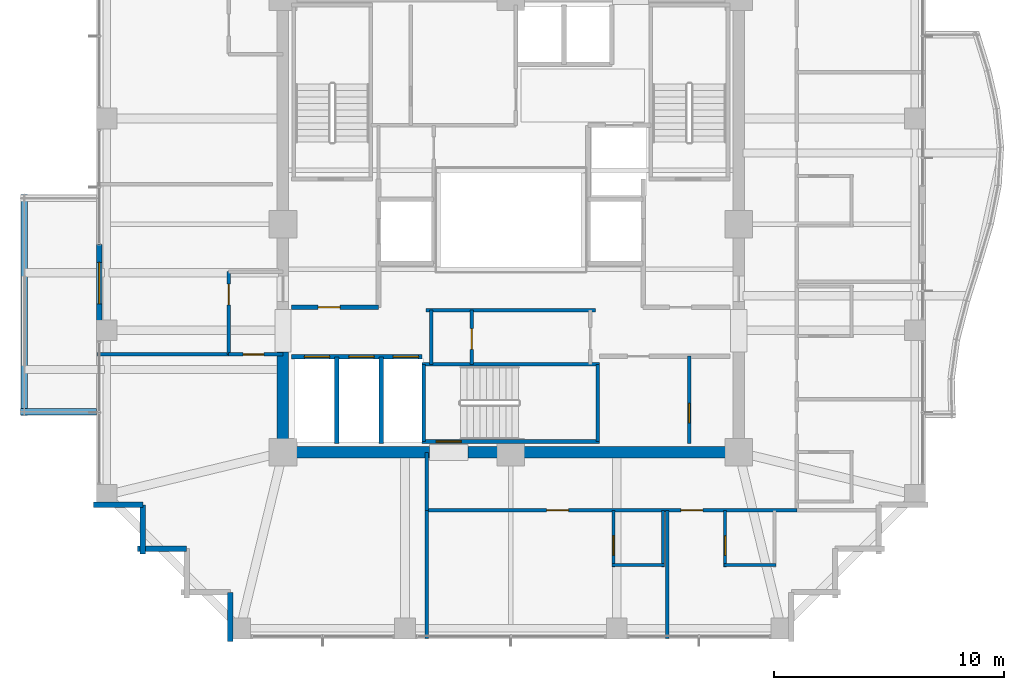
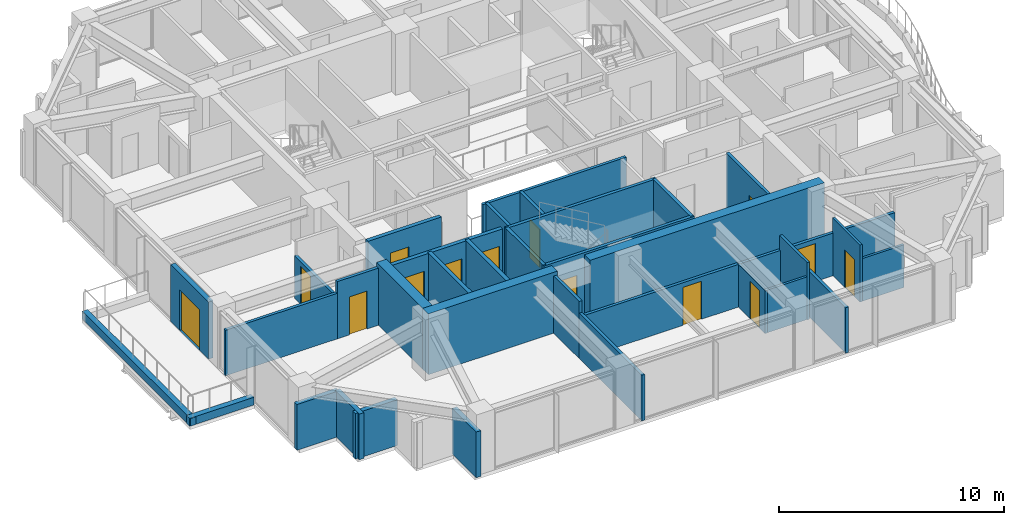
# One storey, part 27 of 32: 34 walls, 14 doors, 14 openings.
"""IFC4 building model written with IfcOpenShell, lengths in metres."""

from ifc_helpers import new_model, si_unit, direction, frame, frame_2d, origin, place, context, subcontext, project, spatial, rectangle, extrude, material, layer, layer_set, type_object, element, fill, save


model = new_model("IFC4")

# Units and contexts
model_context = context("Model", 3, precision=1e-05, world=origin(), true_north=direction((0.0, 1.0)))
body_context = subcontext(model_context, "Body", "Model", "MODEL_VIEW")
ifc_project = project(units=[si_unit("LENGTHUNIT", "METRE"), si_unit("AREAUNIT", "SQUARE_METRE"), si_unit("VOLUMEUNIT", "CUBIC_METRE"), si_unit("PLANEANGLEUNIT", "RADIAN"), si_unit("MASSUNIT", "GRAM", prefix="KILO")], contexts=[model_context])

# Site, building, storey
site_placement = place(None, origin())
site = spatial("IfcSite", under=ifc_project, at=site_placement, CompositionType="ELEMENT")
building_placement = place(site_placement, origin())
building = spatial("IfcBuilding", under=site, at=building_placement, Name="Kolvaren Belvedere", CompositionType="ELEMENT")
storey_placement = place(building_placement, frame((0.0, 0.0, 141.5)))
storey = spatial("IfcBuildingStorey", under=building, at=storey_placement, Name="L41", CompositionType="ELEMENT", Elevation=141.5)

# Walls
ifc_material_1 = material(Name="Concrete C50/60", Category="concrete")
ifc_layer_1 = layer(ifc_material_1, 0.5)
ifc_layer_set_1 = layer_set([ifc_layer_1], Name="Concrete C50/60")
wall_type_1 = type_object("IfcWallType", Name="CW-CORE-500", PredefinedType="SHEAR", material=ifc_layer_set_1)
wall_1_placement = place(storey_placement, frame((10.14990234375, -9.89990234375, 0.0), z_axis=(0.0, 0.0, 1.0), x_axis=(-1.0, 0.0, 0.0)))
element("IfcWall", 1, at=wall_1_placement, inside=storey, type_object=wall_type_1, Name="L41 South Core Shear Wall 1", PredefinedType="SHEAR", context=body_context, shape_type="SweptSolid", body=[
    extrude(rectangle(XDim=12.010009765625, YDim=0.5, at=frame_2d((6.0048828125, 0.0))), origin(), (0.0, 0.0, 1.0), 3.300048828125),
])
wall_2_placement = place(storey_placement, frame((-3.5400390625, -9.89990234375, 0.0), z_axis=(0.0, 0.0, 1.0), x_axis=(-1.0, 0.0, 0.0)))
element("IfcWall", 2, at=wall_2_placement, inside=storey, type_object=wall_type_1, Name="L41 South Core Shear Wall 2", PredefinedType="SHEAR", context=body_context, shape_type="SweptSolid", body=[
    extrude(rectangle(XDim=6.60986328125, YDim=0.5, at=frame_2d((3.304931640625, 0.0))), origin(), (0.0, 0.0, 1.0), 3.300048828125),
])
wall_3_placement = place(storey_placement, frame((-9.89990234375, -9.64990234375, 0.0), z_axis=(0.0, 0.0, 1.0), x_axis=(0.0, 1.0, 0.0)))
element("IfcWall", 3, at=wall_3_placement, inside=storey, type_object=wall_type_1, Name="L41 West Core Shear Wall 1", PredefinedType="SHEAR", context=body_context, shape_type="SweptSolid", body=[
    extrude(rectangle(XDim=4.099853515625, YDim=0.5, at=frame_2d((2.0498046875, 0.0))), origin(), (0.0, 0.0, 1.0), 3.300048828125),
])

# Wall, opening, door
ifc_material_2 = material(Name="Concrete C50/60", Category="concrete")
ifc_layer_2 = layer(ifc_material_2, 0.159912109375)
ifc_layer_set_2 = layer_set([ifc_layer_2], Name="Concrete C50/60")
wall_type_2 = type_object("IfcWallType", Name="CW-STAIR-160", PredefinedType="SHEAR", material=ifc_layer_set_2)
wall_4_placement = place(storey_placement, frame((3.860107421875, -9.429931640625, 0.0), z_axis=(0.0, 0.0, 1.0), x_axis=(-1.0, 0.0, 0.0)))
wall_4 = element("IfcWall", 4, at=wall_4_placement, inside=storey, type_object=wall_type_2, Name="L41 Stair ST-3 South Shear Wall", PredefinedType="SHEAR", context=body_context, shape_type="SweptSolid", body=[
    extrude(rectangle(XDim=7.72021484375, YDim=0.159912109375, at=frame_2d((3.860107421875, 0.0))), origin(), (0.0, 0.0, 1.0), 3.300048828125),
])
opening_1_placement = place(wall_4_placement, frame((6.010009765625, 0.0, 0.0)))
opening_1 = element("IfcOpeningElement", 5, at=opening_1_placement, cuts=wall_4, Name="Opening D-FD90", PredefinedType="OPENING", context=body_context, shape_type="SweptSolid", body=[
    extrude(rectangle(XDim=1.10009765625, YDim=2.199951171875, at=frame_2d((0.550048828125, 1.10009765625))), frame((0.0, 0.08984375, 0.0), z_axis=(0.0, -1.0, 0.0), x_axis=(1.0, 0.0, 0.0)), (0.0, 0.0, 1.0), 0.179931640625),
])
ifc_material_3 = material(Name="Painted hollow stainless steel", Category="steel")
door_type_1 = type_object("IfcDoorType", Name="DR-FD90-1100", OperationType="NOTDEFINED", PredefinedType="DOOR", material=ifc_material_3)
door_1_placement = place(opening_1_placement, origin())
door_1 = element("IfcDoor", 6, at=door_1_placement, inside=storey, type_object=door_type_1, Name="L41 Stair ST-3 Exit Door", OperationType="SINGLE_SWING_RIGHT", OverallHeight=2.199951171875, OverallWidth=1.10009765625, PredefinedType="DOOR", context=body_context, shape_type="SweptSolid", body=[
    extrude(rectangle(XDim=1.10009765625, YDim=2.199951171875, at=frame_2d((0.550048828125, 1.10009765625))), frame((0.0, 0.02490234375, 0.0), z_axis=(0.0, -1.0, 0.0), x_axis=(1.0, 0.0, 0.0)), (0.0, 0.0, 1.0), 0.050048828125),
])
fill(opening_1, door_1)

# Walls
wall_5_placement = place(storey_placement, frame((-3.860107421875, -6.080078125, 0.0), z_axis=(0.0, 0.0, 1.0), x_axis=(1.0, 0.0, 0.0)))
element("IfcWall", 7, at=wall_5_placement, inside=storey, type_object=wall_type_2, Name="L41 Stair ST-3 North Shear Wall", PredefinedType="SHEAR", context=body_context, shape_type="SweptSolid", body=[
    extrude(rectangle(XDim=7.72021484375, YDim=0.159912109375, at=frame_2d((3.860107421875, 0.0))), origin(), (0.0, 0.0, 1.0), 3.300048828125),
])
for number, where, z_axis, x_axis, name in (
    (8, (-3.780029296875, -9.429931640625, 0.0), (0.0, 0.0, 1.0), (0.0, 1.0, 0.0), "L41 Stair ST-3 West Shear Wall"),
    (9, (3.780029296875, -9.429931640625, 0.0), (0.0, 0.0, 1.0), (0.0, 1.0, 0.0), "L41 Stair ST-3 East Shear Wall"),
):
    element("IfcWall", number, at=place(storey_placement, frame(where, z_axis=z_axis, x_axis=x_axis)), inside=storey, type_object=wall_type_2, Name=name, PredefinedType="SHEAR", context=body_context, shape_type="SweptSolid", body=[
        extrude(rectangle(XDim=3.349853515625, YDim=0.159912109375, at=frame_2d((1.6748046875, 0.0))), origin(), (0.0, 0.0, 1.0), 3.300048828125),
    ])

# Wall, openings, doors
ifc_material_4 = material(Name="Gypsum fire-rated partition assembly", Category="gypsum")
ifc_layer_3 = layer(ifc_material_4, 0.14990234375)
ifc_layer_set_3 = layer_set([ifc_layer_3], Name="Gypsum fire-rated partition assembly")
wall_type_3 = type_object("IfcWallType", Name="WL-CORR-150", PredefinedType="PARTITIONING", material=ifc_layer_set_3)
wall_6_placement = place(storey_placement, frame((-3.64990234375, -12.419921875, 0.0), z_axis=(0.0, 0.0, 1.0), x_axis=(1.0, 0.0, 0.0)))
wall_6 = element("IfcWall", 10, at=wall_6_placement, inside=storey, type_object=wall_type_3, Name="L41 South-East Corridor Wall", PredefinedType="PARTITIONING", context=body_context, shape_type="SweptSolid", body=[
    extrude(rectangle(XDim=16.06982421875, YDim=0.14990234375, at=frame_2d((8.034912109375, 0.0))), origin(), (0.0, 0.0, 1.0), 2.31201171875),
])
opening_2_placement = place(wall_6_placement, frame((5.205078125, 0.0, 0.0)))
opening_2 = element("IfcOpeningElement", 11, at=opening_2_placement, cuts=wall_6, Name="Opening D-FD60", PredefinedType="OPENING", context=body_context, shape_type="SweptSolid", body=[
    extrude(rectangle(XDim=0.949951171875, YDim=2.06005859375, at=frame_2d((0.47509765625, 1.030029296875))), frame((0.0, 0.0849609375, 0.0), z_axis=(0.0, -1.0, 0.0), x_axis=(1.0, 0.0, 0.0)), (0.0, 0.0, 1.0), 0.169921875),
])
opening_3_placement = place(wall_6_placement, frame((11.03515625, 0.0, 0.0)))
opening_3 = element("IfcOpeningElement", 12, at=opening_3_placement, cuts=wall_6, Name="Opening D-FD60", PredefinedType="OPENING", context=body_context, shape_type="SweptSolid", body=[
    extrude(rectangle(XDim=0.949951171875, YDim=2.06005859375, at=frame_2d((0.47509765625, 1.030029296875))), frame((0.0, 0.0849609375, 0.0), z_axis=(0.0, -1.0, 0.0), x_axis=(1.0, 0.0, 0.0)), (0.0, 0.0, 1.0), 0.169921875),
])
ifc_material_5 = material(Name="Acoustic white-oak fire door leaf", Category="timber")
door_type_2 = type_object("IfcDoorType", Name="DR-FD60-950", OperationType="NOTDEFINED", PredefinedType="DOOR", material=ifc_material_5)
door_2_placement = place(opening_2_placement, origin())
door_2 = element("IfcDoor", 13, at=door_2_placement, inside=storey, type_object=door_type_2, Name="L41 Twin Guest Room 4111 Entry Door", OperationType="SINGLE_SWING_LEFT", OverallHeight=2.06005859375, OverallWidth=0.949951171875, PredefinedType="DOOR", context=body_context, shape_type="SweptSolid", body=[
    extrude(rectangle(XDim=0.949951171875, YDim=2.06005859375, at=frame_2d((0.47509765625, 1.030029296875))), frame((0.0, 0.02490234375, 0.0), z_axis=(0.0, -1.0, 0.0), x_axis=(1.0, 0.0, 0.0)), (0.0, 0.0, 1.0), 0.050048828125),
])
fill(opening_2, door_2)
door_3_placement = place(opening_3_placement, origin())
door_3 = element("IfcDoor", 14, at=door_3_placement, inside=storey, type_object=door_type_2, Name="L41 Deluxe King Guest Room 4112 Entry Door", OperationType="SINGLE_SWING_LEFT", OverallHeight=2.06005859375, OverallWidth=0.949951171875, PredefinedType="DOOR", context=body_context, shape_type="SweptSolid", body=[
    extrude(rectangle(XDim=0.949951171875, YDim=2.06005859375, at=frame_2d((0.47509765625, 1.030029296875))), frame((0.0, 0.02490234375, 0.0), z_axis=(0.0, -1.0, 0.0), x_axis=(1.0, 0.0, 0.0)), (0.0, 0.0, 1.0), 0.050048828125),
])
fill(opening_3, door_3)

# Wall
wall_7_placement = place(storey_placement, frame((-3.64990234375, -12.419921875, 0.0), z_axis=(0.0, 0.0, 1.0), x_axis=(0.0, 1.0, 0.0)))
element("IfcWall", 15, at=wall_7_placement, inside=storey, type_object=wall_type_3, Name="L41 South Spur West Closure Wall", PredefinedType="PARTITIONING", context=body_context, shape_type="SweptSolid", body=[
    extrude(rectangle(XDim=2.52001953125, YDim=0.14990234375, at=frame_2d((1.260009765625, 0.0))), origin(), (0.0, 0.0, 1.0), 3.10009765625),
])

# Wall, opening, door
wall_8_placement = place(storey_placement, frame((-12.260009765625, -5.64990234375, 0.0), z_axis=(0.0, 0.0, 1.0), x_axis=(0.0, 1.0, 0.0)))
wall_8 = element("IfcWall", 16, at=wall_8_placement, inside=storey, type_object=wall_type_3, Name="L41 West FSAE Pocket Wall", PredefinedType="PARTITIONING", context=body_context, shape_type="SweptSolid", body=[
    extrude(rectangle(XDim=3.599853515625, YDim=0.14990234375, at=frame_2d((1.7998046875, 0.0))), origin(), (0.0, 0.0, 1.0), 2.31201171875),
])
opening_4_placement = place(wall_8_placement, frame((2.15625, 0.0, 0.0)))
opening_4 = element("IfcOpeningElement", 17, at=opening_4_placement, cuts=wall_8, Name="Opening D-INT90", PredefinedType="OPENING", context=body_context, shape_type="SweptSolid", body=[
    extrude(rectangle(XDim=0.89990234375, YDim=2.06005859375, at=frame_2d((0.449951171875, 1.030029296875))), frame((0.0, 0.0849609375, 0.0), z_axis=(0.0, -1.0, 0.0), x_axis=(1.0, 0.0, 0.0)), (0.0, 0.0, 1.0), 0.169921875),
])
ifc_material_6 = material(Name="Stained Pacific white oak", Category="timber")
door_type_3 = type_object("IfcDoorType", Name="DR-INT-900", OperationType="NOTDEFINED", PredefinedType="DOOR", material=ifc_material_6)
door_4_placement = place(opening_4_placement, origin())
door_4 = element("IfcDoor", 18, at=door_4_placement, inside=storey, type_object=door_type_3, Name="L41 Lounge 4109 Door", OperationType="SINGLE_SWING_RIGHT", OverallHeight=2.06005859375, OverallWidth=0.89990234375, PredefinedType="DOOR", context=body_context, shape_type="SweptSolid", body=[
    extrude(rectangle(XDim=0.89990234375, YDim=2.06005859375, at=frame_2d((0.449951171875, 1.030029296875))), frame((0.0, 0.02490234375, 0.0), z_axis=(0.0, -1.0, 0.0), x_axis=(1.0, 0.0, 0.0)), (0.0, 0.0, 1.0), 0.050048828125),
])
fill(opening_4, door_4)

wall_9_placement = place(storey_placement, frame((-12.260009765625, -5.64990234375, 0.0), z_axis=(0.0, 0.0, 1.0), x_axis=(1.0, 0.0, 0.0)))
wall_9 = element("IfcWall", 19, at=wall_9_placement, inside=storey, type_object=wall_type_3, Name="L41 West Pocket South Closure Wall", PredefinedType="PARTITIONING", context=body_context, shape_type="SweptSolid", body=[
    extrude(rectangle(XDim=2.360107421875, YDim=0.14990234375, at=frame_2d((1.18017578125, 0.0))), origin(), (0.0, 0.0, 1.0), 3.10009765625),
])
opening_5_placement = place(wall_9_placement, frame((0.631591796875, 0.0, 0.0)))
opening_5 = element("IfcOpeningElement", 20, at=opening_5_placement, cuts=wall_9, Name="Opening D-INT90", PredefinedType="OPENING", context=body_context, shape_type="SweptSolid", body=[
    extrude(rectangle(XDim=0.89990234375, YDim=2.06005859375, at=frame_2d((0.449951171875, 1.030029296875))), frame((0.0, 0.0849609375, 0.0), z_axis=(0.0, -1.0, 0.0), x_axis=(1.0, 0.0, 0.0)), (0.0, 0.0, 1.0), 0.169921875),
])
door_5_placement = place(opening_5_placement, origin())
door_5 = element("IfcDoor", 21, at=door_5_placement, inside=storey, type_object=door_type_3, Name="L41 Lounge 4110 Door", OperationType="SINGLE_SWING_LEFT", OverallHeight=2.06005859375, OverallWidth=0.89990234375, PredefinedType="DOOR", context=body_context, shape_type="SweptSolid", body=[
    extrude(rectangle(XDim=0.89990234375, YDim=2.06005859375, at=frame_2d((0.449951171875, 1.030029296875))), frame((0.0, 0.02490234375, 0.0), z_axis=(0.0, -1.0, 0.0), x_axis=(1.0, 0.0, 0.0)), (0.0, 0.0, 1.0), 0.050048828125),
])
fill(opening_5, door_5)

ifc_material_7 = material(Name="Insulated pale-metal facade wall assembly", Category="aluminium")
ifc_layer_4 = layer(ifc_material_7, 0.239990234375)
ifc_layer_set_4 = layer_set([ifc_layer_4], Name="Insulated pale-metal facade wall assembly")
wall_type_4 = type_object("IfcWallType", Name="WL-EXT-240", PredefinedType="STANDARD", material=ifc_layer_set_4)
wall_10_placement = place(storey_placement, frame((-17.8798828125, -4.22998046875, 0.0), z_axis=(0.0, 0.0, 1.0), x_axis=(0.0, 1.0, 0.0)))
wall_10 = element("IfcWall", 22, at=wall_10_placement, inside=storey, type_object=wall_type_4, Name="L41 West Terrace Portal Wall", PredefinedType="STANDARD", context=body_context, shape_type="SweptSolid", body=[
    extrude(rectangle(XDim=3.35986328125, YDim=0.239990234375, at=frame_2d((1.679931640625, 0.0))), origin(), (0.0, 0.0, 1.0), 3.10009765625),
])
opening_6_placement = place(wall_10_placement, frame((0.780029296875, 0.0, 0.0)))
opening_6 = element("IfcOpeningElement", 23, at=opening_6_placement, cuts=wall_10, Name="Opening DB-1800", PredefinedType="OPENING", context=body_context, shape_type="SweptSolid", body=[
    extrude(rectangle(XDim=1.800048828125, YDim=2.199951171875, at=frame_2d((0.89990234375, 1.10009765625))), frame((0.0, 0.1298828125, 0.0), z_axis=(0.0, -1.0, 0.0), x_axis=(1.0, 0.0, 0.0)), (0.0, 0.0, 1.0), 0.260009765625),
])
ifc_material_8 = material(Name="Thermally broken pale-metal aluminium & low-iron glass", Category="aluminium")
door_type_4 = type_object("IfcDoorType", Name="DR-BAL-1800", OperationType="DOUBLE_DOOR_SLIDING", PredefinedType="DOOR", material=ifc_material_8)
door_6_placement = place(opening_6_placement, origin())
door_6 = element("IfcDoor", 24, at=door_6_placement, inside=storey, type_object=door_type_4, Name="L41 West Planted Terrace Sliding Door", OperationType="DOUBLE_DOOR_SLIDING", OverallHeight=2.199951171875, OverallWidth=1.800048828125, PredefinedType="DOOR", context=body_context, shape_type="SweptSolid", body=[
    extrude(rectangle(XDim=1.800048828125, YDim=2.199951171875, at=frame_2d((0.89990234375, 1.10009765625))), frame((0.0, 0.02490234375, 0.0), z_axis=(0.0, -1.0, 0.0), x_axis=(1.0, 0.0, 0.0)), (0.0, 0.0, 1.0), 0.050048828125),
])
fill(opening_6, door_6)

# Walls
for number, where, z_axis, x_axis, name in (
    (25, (-15.97998046875, -12.179931640625, 0.0), (0.0, 0.0, 1.0), (-1.0, 0.0, 0.0), "L41 Serrated Corner Facade Wall 23"),
    (26, (-15.97998046875, -14.320068359375, 0.0), (0.0, 0.0, 1.0), (0.0, 1.0, 0.0), "L41 Serrated Corner Facade Wall 24"),
):
    element("IfcWall", number, at=place(storey_placement, frame(where, z_axis=z_axis, x_axis=x_axis)), inside=storey, type_object=wall_type_4, Name=name, PredefinedType="STANDARD", context=body_context, shape_type="SweptSolid", body=[
        extrude(rectangle(XDim=2.14013671875, YDim=0.239990234375, at=frame_2d((1.070068359375, 0.0))), origin(), (0.0, 0.0, 1.0), 2.47900390625),
    ])
wall_11_placement = place(storey_placement, frame((-14.080078125, -14.080078125, 0.0), z_axis=(0.0, 0.0, 1.0), x_axis=(-1.0, 0.0, 0.0)))
element("IfcWall", 27, at=wall_11_placement, inside=storey, type_object=wall_type_4, Name="L41 Serrated Corner Facade Wall 25", PredefinedType="STANDARD", context=body_context, shape_type="SweptSolid", body=[
    extrude(rectangle(XDim=2.139892578125, YDim=0.239990234375, at=frame_2d((1.06982421875, 0.0))), origin(), (0.0, 0.0, 1.0), 2.47900390625),
])
wall_12_placement = place(storey_placement, frame((-12.179931640625, -18.1201171875, 0.0), z_axis=(0.0, 0.0, 1.0), x_axis=(0.0, 1.0, 0.0)))
element("IfcWall", 28, at=wall_12_placement, inside=storey, type_object=wall_type_4, Name="L41 Serrated Corner Facade Wall 28", PredefinedType="STANDARD", context=body_context, shape_type="SweptSolid", body=[
    extrude(rectangle(XDim=2.14013671875, YDim=0.239990234375, at=frame_2d((1.070068359375, 0.0))), origin(), (0.0, 0.0, 1.0), 2.47900390625),
])

# Wall, opening, door
ifc_material_9 = material(Name="Gypsum acoustic partition assembly", Category="gypsum")
ifc_layer_5 = layer(ifc_material_9, 0.14990234375)
ifc_layer_set_5 = layer_set([ifc_layer_5], Name="Gypsum acoustic partition assembly")
wall_type_5 = type_object("IfcWallType", Name="WL-PART-150", PredefinedType="PARTITIONING", material=ifc_layer_set_5)
wall_13_placement = place(storey_placement, frame((7.75, -9.52001953125, 0.0), z_axis=(0.0, 0.0, 1.0), x_axis=(0.0, 1.0, 0.0)))
wall_13 = element("IfcWall", 29, at=wall_13_placement, inside=storey, type_object=wall_type_5, Name="L41 SE Core Asymmetric Divider", PredefinedType="PARTITIONING", context=body_context, shape_type="SweptSolid", body=[
    extrude(rectangle(XDim=3.800048828125, YDim=0.14990234375, at=frame_2d((1.89990234375, 0.0))), origin(), (0.0, 0.0, 1.0), 3.10009765625),
])
opening_7_placement = place(wall_13_placement, frame((0.89990234375, 0.0, 0.0)))
opening_7 = element("IfcOpeningElement", 30, at=opening_7_placement, cuts=wall_13, Name="Opening D-INT85", PredefinedType="OPENING", context=body_context, shape_type="SweptSolid", body=[
    extrude(rectangle(XDim=0.85009765625, YDim=2.030029296875, at=frame_2d((0.425048828125, 1.01513671875))), frame((0.0, 0.0849609375, 0.0), z_axis=(0.0, -1.0, 0.0), x_axis=(1.0, 0.0, 0.0)), (0.0, 0.0, 1.0), 0.169921875),
])
ifc_material_10 = material(Name="Stained Pacific white oak", Category="timber")
door_type_5 = type_object("IfcDoorType", Name="DR-INT-850", OperationType="NOTDEFINED", PredefinedType="DOOR", material=ifc_material_10)
door_7_placement = place(opening_7_placement, origin())
door_7 = element("IfcDoor", 31, at=door_7_placement, inside=storey, type_object=door_type_5, Name="L41 SE Janitor Door", OperationType="SINGLE_SWING_LEFT", OverallHeight=2.030029296875, OverallWidth=0.85009765625, PredefinedType="DOOR", context=body_context, shape_type="SweptSolid", body=[
    extrude(rectangle(XDim=0.85009765625, YDim=2.030029296875, at=frame_2d((0.425048828125, 1.01513671875))), frame((0.0, 0.02490234375, 0.0), z_axis=(0.0, -1.0, 0.0), x_axis=(1.0, 0.0, 0.0)), (0.0, 0.0, 1.0), 0.050048828125),
])
fill(opening_7, door_7)

# Walls
wall_14_placement = place(storey_placement, frame((-3.679931640625, -3.719970703125, 0.0), z_axis=(0.0, 0.0, 1.0), x_axis=(1.0, 0.0, 0.0)))
element("IfcWall", 32, at=wall_14_placement, inside=storey, type_object=wall_type_5, Name="L41 South Core Service North Wall", PredefinedType="PARTITIONING", context=body_context, shape_type="SweptSolid", body=[
    extrude(rectangle(XDim=7.35986328125, YDim=0.14990234375, at=frame_2d((3.679931640625, 0.0))), origin(), (0.0, 0.0, 1.0), 3.10009765625),
])
wall_15_placement = place(storey_placement, frame((-3.449951171875, -6.080078125, 0.0), z_axis=(0.0, 0.0, 1.0), x_axis=(0.0, 1.0, 0.0)))
element("IfcWall", 33, at=wall_15_placement, inside=storey, type_object=wall_type_5, Name="L41 South Core Service West Wall", PredefinedType="PARTITIONING", context=body_context, shape_type="SweptSolid", body=[
    extrude(rectangle(XDim=2.360107421875, YDim=0.14990234375, at=frame_2d((1.18017578125, 0.0))), origin(), (0.0, 0.0, 1.0), 3.10009765625),
])

# Wall, opening, door
wall_16_placement = place(storey_placement, frame((-1.699951171875, -6.080078125, 0.0), z_axis=(0.0, 0.0, 1.0), x_axis=(0.0, 1.0, 0.0)))
wall_16 = element("IfcWall", 34, at=wall_16_placement, inside=storey, type_object=wall_type_5, Name="L41 Core Service Divider", PredefinedType="PARTITIONING", context=body_context, shape_type="SweptSolid", body=[
    extrude(rectangle(XDim=2.360107421875, YDim=0.14990234375, at=frame_2d((1.18017578125, 0.0))), origin(), (0.0, 0.0, 1.0), 3.10009765625),
])
opening_8_placement = place(wall_16_placement, frame((0.64990234375, 0.0, 0.0)))
opening_8 = element("IfcOpeningElement", 35, at=opening_8_placement, cuts=wall_16, Name="Opening D-INT90", PredefinedType="OPENING", context=body_context, shape_type="SweptSolid", body=[
    extrude(rectangle(XDim=0.89990234375, YDim=2.06005859375, at=frame_2d((0.449951171875, 1.030029296875))), frame((0.0, 0.0849609375, 0.0), z_axis=(0.0, -1.0, 0.0), x_axis=(1.0, 0.0, 0.0)), (0.0, 0.0, 1.0), 0.169921875),
])
door_8_placement = place(opening_8_placement, origin())
door_8 = element("IfcDoor", 36, at=door_8_placement, inside=storey, type_object=door_type_3, Name="L41 Telecom Inner Door", OperationType="SINGLE_SWING_RIGHT", OverallHeight=2.06005859375, OverallWidth=0.89990234375, PredefinedType="DOOR", context=body_context, shape_type="SweptSolid", body=[
    extrude(rectangle(XDim=0.89990234375, YDim=2.06005859375, at=frame_2d((0.449951171875, 1.030029296875))), frame((0.0, 0.02490234375, 0.0), z_axis=(0.0, -1.0, 0.0), x_axis=(1.0, 0.0, 0.0)), (0.0, 0.0, 1.0), 0.050048828125),
])
fill(opening_8, door_8)

# Walls
wall_17_placement = place(storey_placement, frame((-17.97998046875, -5.64990234375, 0.0), z_axis=(0.0, 0.0, 1.0), x_axis=(1.0, 0.0, 0.0)))
element("IfcWall", 37, at=wall_17_placement, inside=storey, type_object=wall_type_5, Name="L41 West Mid Suite South Wall", PredefinedType="PARTITIONING", context=body_context, shape_type="SweptSolid", body=[
    extrude(rectangle(XDim=5.719970703125, YDim=0.14990234375, at=frame_2d((2.85986328125, 0.0))), origin(), (0.0, 0.0, 1.0), 2.468994140625),
])
for number, where, z_axis, x_axis, name in (
    (38, (-3.64990234375, -17.97998046875, 0.0), (0.0, 0.0, 1.0), (0.0, 1.0, 0.0), "L41 South Mid-West Wall"),
    (39, (6.800048828125, -17.97998046875, 0.0), (0.0, 0.0, 1.0), (0.0, 1.0, 0.0), "L41 South-East Suite Divider 1"),
):
    element("IfcWall", number, at=place(storey_placement, frame(where, z_axis=z_axis, x_axis=x_axis)), inside=storey, type_object=wall_type_5, Name=name, PredefinedType="PARTITIONING", context=body_context, shape_type="SweptSolid", body=[
        extrude(rectangle(XDim=5.56005859375, YDim=0.14990234375, at=frame_2d((2.780029296875, 0.0))), origin(), (0.0, 0.0, 1.0), 2.468994140625),
    ])
ifc_material_11 = material(Name="Precast concrete C40/50", Category="concrete")
ifc_layer_6 = layer(ifc_material_11, 0.300048828125)
ifc_layer_set_6 = layer_set([ifc_layer_6], Name="Precast concrete C40/50")
wall_type_6 = type_object("IfcWallType", Name="WL-PLANTER-300", PredefinedType="PARAPET", material=ifc_layer_set_6)
wall_18_placement = place(storey_placement, frame((-21.300048828125, -8.139892578125, -0.02001953125), z_axis=(0.0, 0.0, 1.0), x_axis=(1.0, 0.0, 0.0)))
element("IfcWall", 40, at=wall_18_placement, inside=storey, type_object=wall_type_6, Name="L41 Precast Structural Planter Wall SPIRAL-06-W-1", PredefinedType="PARAPET", context=body_context, shape_type="SweptSolid", body=[
    extrude(rectangle(XDim=3.300048828125, YDim=0.280029296875, at=frame_2d((1.64990234375, 0.0))), origin(), (0.0, 0.0, 1.0), 0.419921875),
])
wall_19_placement = place(storey_placement, frame((-21.139892578125, 1.300048828125, -0.02001953125), z_axis=(0.0, 0.0, 1.0), x_axis=(0.0, -1.0, 0.0)))
element("IfcWall", 41, at=wall_19_placement, inside=storey, type_object=wall_type_6, Name="L41 Precast Structural Planter Wall SPIRAL-06-W-4", PredefinedType="PARAPET", context=body_context, shape_type="SweptSolid", body=[
    extrude(rectangle(XDim=9.60009765625, YDim=0.280029296875, at=frame_2d((4.800048828125, 0.0))), origin(), (0.0, 0.0, 1.0), 0.419921875),
])

# Wall, opening, door
ifc_material_12 = material(Name="Concrete C50/60", Category="concrete")
ifc_layer_7 = layer(ifc_material_12, 0.199951171875)
ifc_layer_set_7 = layer_set([ifc_layer_7], Name="Concrete C50/60")
wall_type_7 = type_object("IfcWallType", Name="WL-SHAFT-200", PredefinedType="SOLIDWALL", material=ifc_layer_set_7)
wall_20_placement = place(storey_placement, frame((-9.52001953125, -3.60009765625, 0.0), z_axis=(0.0, 0.0, 1.0), x_axis=(1.0, 0.0, 0.0)))
wall_20 = element("IfcWall", 42, at=wall_20_placement, inside=storey, type_object=wall_type_7, Name="L41 West FSAE Lobby South Wall", PredefinedType="SOLIDWALL", context=body_context, shape_type="SweptSolid", body=[
    extrude(rectangle(XDim=3.77001953125, YDim=0.199951171875, at=frame_2d((1.885009765625, 0.0))), origin(), (0.0, 0.0, 1.0), 3.10009765625),
])
opening_9_placement = place(wall_20_placement, frame((1.14990234375, 0.0, 0.0)))
opening_9 = element("IfcOpeningElement", 43, at=opening_9_placement, cuts=wall_20, Name="Opening D-FD60", PredefinedType="OPENING", context=body_context, shape_type="SweptSolid", body=[
    extrude(rectangle(XDim=0.949951171875, YDim=2.06005859375, at=frame_2d((0.47509765625, 1.030029296875))), frame((0.0, 0.10986328125, 0.0), z_axis=(0.0, -1.0, 0.0), x_axis=(1.0, 0.0, 0.0)), (0.0, 0.0, 1.0), 0.219970703125),
])
door_9_placement = place(opening_9_placement, origin())
door_9 = element("IfcDoor", 44, at=door_9_placement, inside=storey, type_object=door_type_2, Name="L41 Mid-Rise Lift Lobby Fire Door", OperationType="SINGLE_SWING_LEFT", OverallHeight=2.06005859375, OverallWidth=0.949951171875, PredefinedType="DOOR", context=body_context, shape_type="SweptSolid", body=[
    extrude(rectangle(XDim=0.949951171875, YDim=2.06005859375, at=frame_2d((0.47509765625, 1.030029296875))), frame((0.0, 0.02490234375, 0.0), z_axis=(0.0, -1.0, 0.0), x_axis=(1.0, 0.0, 0.0)), (0.0, 0.0, 1.0), 0.050048828125),
])
fill(opening_9, door_9)

# Wall, openings, doors
wall_21_placement = place(storey_placement, frame((-9.52001953125, -5.75, 0.0), z_axis=(0.0, 0.0, 1.0), x_axis=(1.0, 0.0, 0.0)))
wall_21 = element("IfcWall", 45, at=wall_21_placement, inside=storey, type_object=wall_type_7, Name="L41 Mid-Rise Lift Bank Front Wall", PredefinedType="SOLIDWALL", context=body_context, shape_type="SweptSolid", body=[
    extrude(rectangle(XDim=5.659912109375, YDim=0.199951171875, at=frame_2d((2.830078125, 0.0))), origin(), (0.0, 0.0, 1.0), 3.10009765625),
])
opening_10_placement = place(wall_21_placement, frame((0.550048828125, 0.0, 0.0)))
opening_10 = element("IfcOpeningElement", 46, at=opening_10_placement, cuts=wall_21, Name="Opening LD-11", PredefinedType="OPENING", context=body_context, shape_type="SweptSolid", body=[
    extrude(rectangle(XDim=1.10009765625, YDim=2.199951171875, at=frame_2d((0.550048828125, 1.10009765625))), frame((0.0, 0.10986328125, 0.0), z_axis=(0.0, -1.0, 0.0), x_axis=(1.0, 0.0, 0.0)), (0.0, 0.0, 1.0), 0.219970703125),
])
opening_11_placement = place(wall_21_placement, frame((2.47998046875, 0.0, 0.0)))
opening_11 = element("IfcOpeningElement", 47, at=opening_11_placement, cuts=wall_21, Name="Opening LD-11", PredefinedType="OPENING", context=body_context, shape_type="SweptSolid", body=[
    extrude(rectangle(XDim=1.10009765625, YDim=2.199951171875, at=frame_2d((0.550048828125, 1.10009765625))), frame((0.0, 0.10986328125, 0.0), z_axis=(0.0, -1.0, 0.0), x_axis=(1.0, 0.0, 0.0)), (0.0, 0.0, 1.0), 0.219970703125),
])
opening_12_placement = place(wall_21_placement, frame((4.409912109375, 0.0, 0.0)))
opening_12 = element("IfcOpeningElement", 48, at=opening_12_placement, cuts=wall_21, Name="Opening LD-11", PredefinedType="OPENING", context=body_context, shape_type="SweptSolid", body=[
    extrude(rectangle(XDim=1.10009765625, YDim=2.199951171875, at=frame_2d((0.550048828125, 1.10009765625))), frame((0.0, 0.10986328125, 0.0), z_axis=(0.0, -1.0, 0.0), x_axis=(1.0, 0.0, 0.0)), (0.0, 0.0, 1.0), 0.219970703125),
])
ifc_material_13 = material(Name="Brushed stainless steel", Category="steel")
door_type_6 = type_object("IfcDoorType", Name="DR-LIFT-1100", OperationType="DOUBLE_DOOR_SLIDING", PredefinedType="DOOR", material=ifc_material_13)
door_10_placement = place(opening_10_placement, origin())
door_10 = element("IfcDoor", 49, at=door_10_placement, inside=storey, type_object=door_type_6, Name="L41 Passenger Lift P4 Landing Door", OperationType="DOUBLE_DOOR_SLIDING", OverallHeight=2.199951171875, OverallWidth=1.10009765625, PredefinedType="DOOR", context=body_context, shape_type="SweptSolid", body=[
    extrude(rectangle(XDim=1.10009765625, YDim=2.199951171875, at=frame_2d((0.550048828125, 1.10009765625))), frame((0.0, 0.02490234375, 0.0), z_axis=(0.0, -1.0, 0.0), x_axis=(1.0, 0.0, 0.0)), (0.0, 0.0, 1.0), 0.050048828125),
])
fill(opening_10, door_10)
door_11_placement = place(opening_11_placement, origin())
door_11 = element("IfcDoor", 50, at=door_11_placement, inside=storey, type_object=door_type_6, Name="L41 Passenger Lift P5 Landing Door", OperationType="DOUBLE_DOOR_SLIDING", OverallHeight=2.199951171875, OverallWidth=1.10009765625, PredefinedType="DOOR", context=body_context, shape_type="SweptSolid", body=[
    extrude(rectangle(XDim=1.10009765625, YDim=2.199951171875, at=frame_2d((0.550048828125, 1.10009765625))), frame((0.0, 0.02490234375, 0.0), z_axis=(0.0, -1.0, 0.0), x_axis=(1.0, 0.0, 0.0)), (0.0, 0.0, 1.0), 0.050048828125),
])
fill(opening_11, door_11)
door_12_placement = place(opening_12_placement, origin())
door_12 = element("IfcDoor", 51, at=door_12_placement, inside=storey, type_object=door_type_6, Name="L41 Passenger Lift P6 Landing Door", OperationType="DOUBLE_DOOR_SLIDING", OverallHeight=2.199951171875, OverallWidth=1.10009765625, PredefinedType="DOOR", context=body_context, shape_type="SweptSolid", body=[
    extrude(rectangle(XDim=1.10009765625, YDim=2.199951171875, at=frame_2d((0.550048828125, 1.10009765625))), frame((0.0, 0.02490234375, 0.0), z_axis=(0.0, -1.0, 0.0), x_axis=(1.0, 0.0, 0.0)), (0.0, 0.0, 1.0), 0.050048828125),
])
fill(opening_12, door_12)

# Walls
for number, where, z_axis, x_axis, name in (
    (52, (-7.56005859375, -9.52001953125, 0.0), (0.0, 0.0, 1.0), (0.0, 1.0, 0.0), "L41 Mid-Rise Hoistway Divider 1"),
    (53, (-5.6298828125, -9.52001953125, 0.0), (0.0, 0.0, 1.0), (0.0, 1.0, 0.0), "L41 Mid-Rise Hoistway Divider 2"),
):
    element("IfcWall", number, at=place(storey_placement, frame(where, z_axis=z_axis, x_axis=x_axis)), inside=storey, type_object=wall_type_7, Name=name, PredefinedType="SOLIDWALL", context=body_context, shape_type="SweptSolid", body=[
        extrude(rectangle(XDim=3.77001953125, YDim=0.199951171875, at=frame_2d((1.885009765625, 0.0))), origin(), (0.0, 0.0, 1.0), 3.10009765625),
    ])

# Wall, opening, door
ifc_material_14 = material(Name="Moisture-resistant gypsum partition", Category="gypsum")
ifc_layer_8 = layer(ifc_material_14, 0.125)
ifc_layer_set_8 = layer_set([ifc_layer_8], Name="Moisture-resistant gypsum partition")
wall_type_8 = type_object("IfcWallType", Name="WL-WET-125", PredefinedType="PARTITIONING", material=ifc_layer_set_8)
wall_22_placement = place(storey_placement, frame((4.455078125, -14.875, 0.0), z_axis=(0.0, 0.0, 1.0), x_axis=(0.0, 1.0, 0.0)))
wall_22 = element("IfcWall", 54, at=wall_22_placement, inside=storey, type_object=wall_type_8, Name="L41 Bathroom Partition PW-L41-BTH-11-E", PredefinedType="PARTITIONING", context=body_context, shape_type="SweptSolid", body=[
    extrude(rectangle(XDim=2.43994140625, YDim=0.125, at=frame_2d((1.219970703125, 0.0))), origin(), (0.0, 0.0, 1.0), 2.31201171875),
])
opening_13_placement = place(wall_22_placement, frame((0.5, 0.0, 0.0)))
opening_13 = element("IfcOpeningElement", 55, at=opening_13_placement, cuts=wall_22, Name="Opening D-BTH85", PredefinedType="OPENING", context=body_context, shape_type="SweptSolid", body=[
    extrude(rectangle(XDim=0.85009765625, YDim=2.030029296875, at=frame_2d((0.425048828125, 1.01513671875))), frame((0.0, 0.072509765625, 0.0), z_axis=(0.0, -1.0, 0.0), x_axis=(1.0, 0.0, 0.0)), (0.0, 0.0, 1.0), 0.14501953125),
])
ifc_material_15 = material(Name="Moisture-sealed Pacific white oak", Category="timber")
door_type_7 = type_object("IfcDoorType", Name="DR-BATH-850", OperationType="NOTDEFINED", PredefinedType="DOOR", material=ifc_material_15)
door_13_placement = place(opening_13_placement, origin())
door_13 = element("IfcDoor", 56, at=door_13_placement, inside=storey, type_object=door_type_7, Name="L41 En-Suite Bathroom 4111 Door", OperationType="SINGLE_SWING_RIGHT", OverallHeight=2.030029296875, OverallWidth=0.85009765625, PredefinedType="DOOR", context=body_context, shape_type="SweptSolid", body=[
    extrude(rectangle(XDim=0.85009765625, YDim=2.030029296875, at=frame_2d((0.425048828125, 1.01513671875))), frame((0.0, 0.02490234375, 0.0), z_axis=(0.0, -1.0, 0.0), x_axis=(1.0, 0.0, 0.0)), (0.0, 0.0, 1.0), 0.050048828125),
])
fill(opening_13, door_13)

# Walls
wall_23_placement = place(storey_placement, frame((4.39501953125, -14.794921875, 0.0), z_axis=(0.0, 0.0, 1.0), x_axis=(1.0, 0.0, 0.0)))
element("IfcWall", 57, at=wall_23_placement, inside=storey, type_object=wall_type_8, Name="L41 Bathroom Partition PW-L41-BTH-11-H", PredefinedType="PARTITIONING", context=body_context, shape_type="SweptSolid", body=[
    extrude(rectangle(XDim=2.27001953125, YDim=0.125, at=frame_2d((1.135009765625, 0.0))), origin(), (0.0, 0.0, 1.0), 2.31201171875),
])
wall_24_placement = place(storey_placement, frame((6.60498046875, -14.875, 0.0), z_axis=(0.0, 0.0, 1.0), x_axis=(0.0, 1.0, 0.0)))
element("IfcWall", 58, at=wall_24_placement, inside=storey, type_object=wall_type_8, Name="L41 Bathroom Partition PW-L41-BTH-11-W", PredefinedType="PARTITIONING", context=body_context, shape_type="SweptSolid", body=[
    extrude(rectangle(XDim=2.43994140625, YDim=0.125, at=frame_2d((1.219970703125, 0.0))), origin(), (0.0, 0.0, 1.0), 3.10009765625),
])

# Wall, opening, door
wall_25_placement = place(storey_placement, frame((9.30908203125, -14.875, 0.0), z_axis=(0.0, 0.0, 1.0), x_axis=(0.0, 1.0, 0.0)))
wall_25 = element("IfcWall", 59, at=wall_25_placement, inside=storey, type_object=wall_type_8, Name="L41 Bathroom Partition PW-L41-BTH-12-E", PredefinedType="PARTITIONING", context=body_context, shape_type="SweptSolid", body=[
    extrude(rectangle(XDim=2.43994140625, YDim=0.125, at=frame_2d((1.219970703125, 0.0))), origin(), (0.0, 0.0, 1.0), 3.10009765625),
])
opening_14_placement = place(wall_25_placement, frame((0.5, 0.0, 0.0)))
opening_14 = element("IfcOpeningElement", 60, at=opening_14_placement, cuts=wall_25, Name="Opening D-BTH85", PredefinedType="OPENING", context=body_context, shape_type="SweptSolid", body=[
    extrude(rectangle(XDim=0.85009765625, YDim=2.030029296875, at=frame_2d((0.425048828125, 1.01513671875))), frame((0.0, 0.072509765625, 0.0), z_axis=(0.0, -1.0, 0.0), x_axis=(1.0, 0.0, 0.0)), (0.0, 0.0, 1.0), 0.14501953125),
])
door_14_placement = place(opening_14_placement, origin())
door_14 = element("IfcDoor", 61, at=door_14_placement, inside=storey, type_object=door_type_7, Name="L41 En-Suite Bathroom 4112 Door", OperationType="SINGLE_SWING_RIGHT", OverallHeight=2.030029296875, OverallWidth=0.85009765625, PredefinedType="DOOR", context=body_context, shape_type="SweptSolid", body=[
    extrude(rectangle(XDim=0.85009765625, YDim=2.030029296875, at=frame_2d((0.425048828125, 1.01513671875))), frame((0.0, 0.02490234375, 0.0), z_axis=(0.0, -1.0, 0.0), x_axis=(1.0, 0.0, 0.0)), (0.0, 0.0, 1.0), 0.050048828125),
])
fill(opening_14, door_14)

# Wall
wall_26_placement = place(storey_placement, frame((9.2490234375, -14.794921875, 0.0), z_axis=(0.0, 0.0, 1.0), x_axis=(1.0, 0.0, 0.0)))
element("IfcWall", 62, at=wall_26_placement, inside=storey, type_object=wall_type_8, Name="L41 Bathroom Partition PW-L41-BTH-12-H", PredefinedType="PARTITIONING", context=body_context, shape_type="SweptSolid", body=[
    extrude(rectangle(XDim=2.27001953125, YDim=0.125, at=frame_2d((1.135009765625, 0.0))), origin(), (0.0, 0.0, 1.0), 2.31201171875),
])

save(model, "model.ifc")
